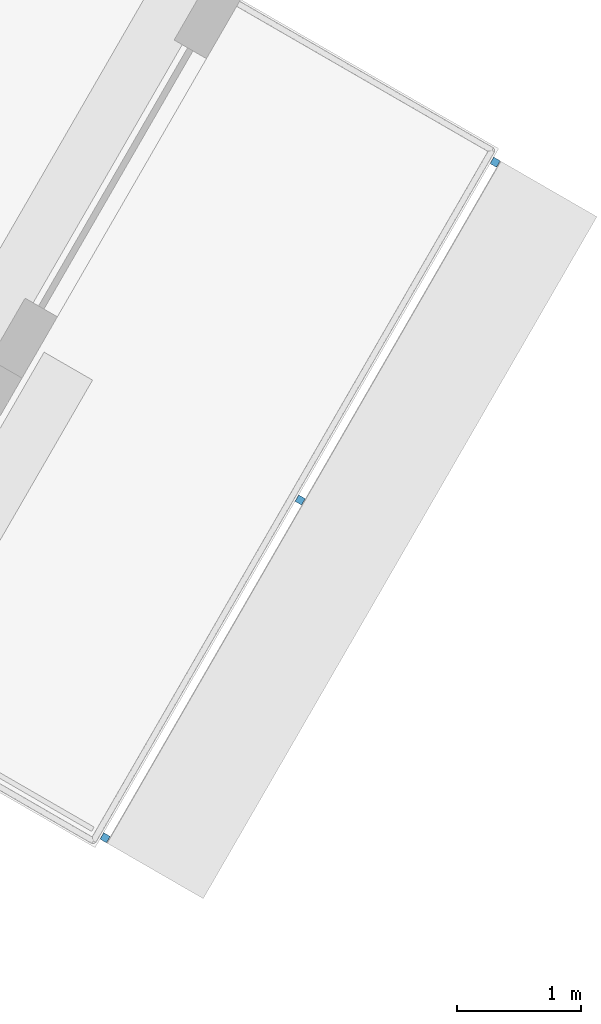
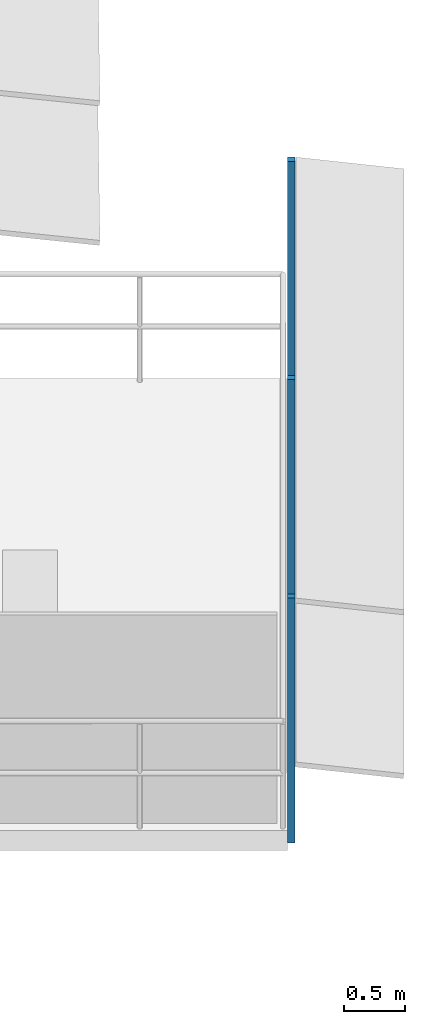
# One storey, part 10 of 14: 3 discrete accessories.
"""IFC4 building model written with IfcOpenShell, lengths in metres."""

from ifc_helpers import new_model, si_unit, direction, frame, origin, origin_2d, place, context, subcontext, project, spatial, rectangle, extrude, material, type_object, element, save


model = new_model("IFC4")

# Units and contexts
model_context = context("Model", 3, precision=1e-05, world=origin(), true_north=direction((0.0, 1.0)))
body_context = subcontext(model_context, "Body", "Model", "MODEL_VIEW")
ifc_project = project(units=[si_unit("LENGTHUNIT", "METRE"), si_unit("AREAUNIT", "SQUARE_METRE"), si_unit("VOLUMEUNIT", "CUBIC_METRE"), si_unit("PLANEANGLEUNIT", "RADIAN"), si_unit("MASSUNIT", "GRAM", prefix="KILO")], contexts=[model_context])

# Site, building, storey
site_placement = place(None, origin())
site = spatial("IfcSite", under=ifc_project, at=site_placement, CompositionType="ELEMENT")
building_placement = place(site_placement, origin())
building = spatial("IfcBuilding", under=site, at=building_placement, Name="Nakaniwa Court", CompositionType="ELEMENT")
storey_placement = place(building_placement, frame((0.0, 0.0, 265.800048828125)))
storey = spatial("IfcBuildingStorey", under=building, at=storey_placement, Name="L70", CompositionType="ELEMENT", Elevation=265.800048828125)

# Discrete accessories
ifc_material = material(Name="Black powder-coated steel bracket S275", Category="steel")
discrete_accessory_type = type_object("IfcDiscreteAccessoryType", Name="Black metal louvre bracket", PredefinedType="BRACKET", material=ifc_material)
for number, where, z_axis, x_axis, name in (
    (1, (100.473388671875, 65.301025390625, -0.22998046875), (0.0, 0.0, 1.0), (0.499986396443, 0.866033257659, 0.0), "L70 louvre bracket 02 1"),
    (2, (102.043212890625, 68.02001953125, -0.22998046875), (0.0, 0.0, 1.0), (0.499986396443, 0.866033257659, 0.0), "L70 louvre bracket 02 2"),
    (3, (103.613037109375, 70.739013671875, -0.22998046875), (0.0, 0.0, 1.0), (0.499986396443, 0.866033257659, 0.0), "L70 louvre bracket 02 3"),
):
    element("IfcDiscreteAccessory", number, at=place(storey_placement, frame(where, z_axis=z_axis, x_axis=x_axis)), inside=storey, type_object=discrete_accessory_type, Name=name, PredefinedType="BRACKET", context=body_context, shape_type="SweptSolid", body=[
        extrude(rectangle(XDim=0.06005859375, YDim=0.06005859375, at=origin_2d()), origin(), (0.0, 0.0, 1.0), 2.46337890625),
    ])

save(model, "model.ifc")
